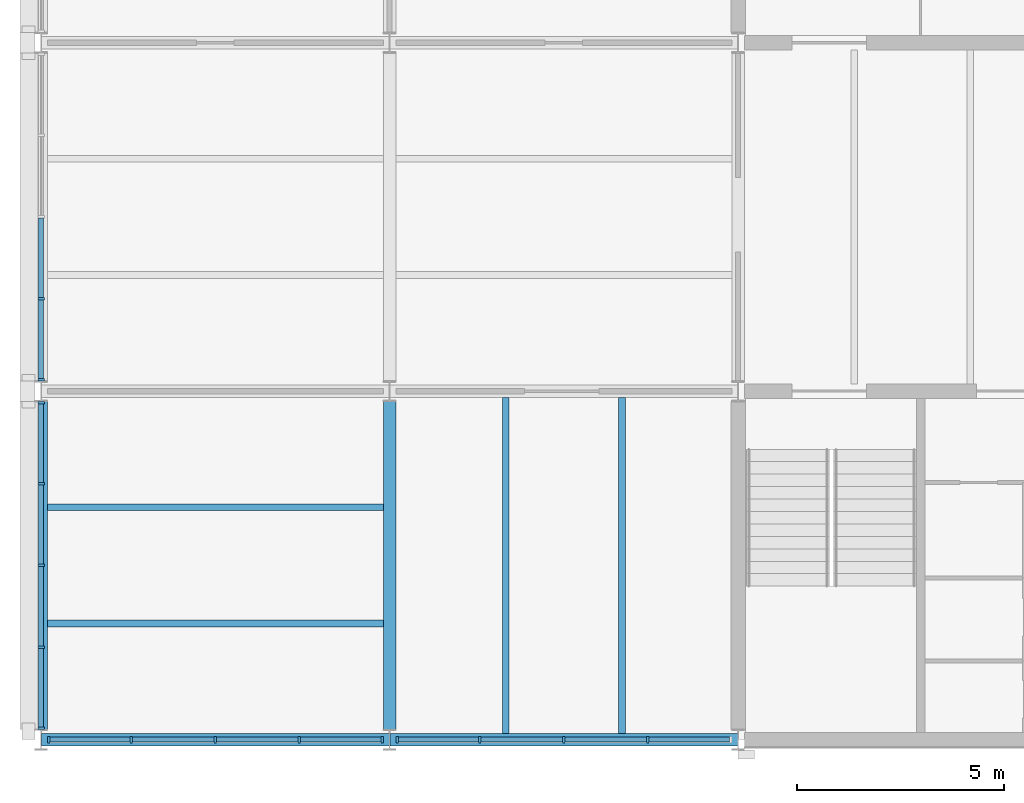
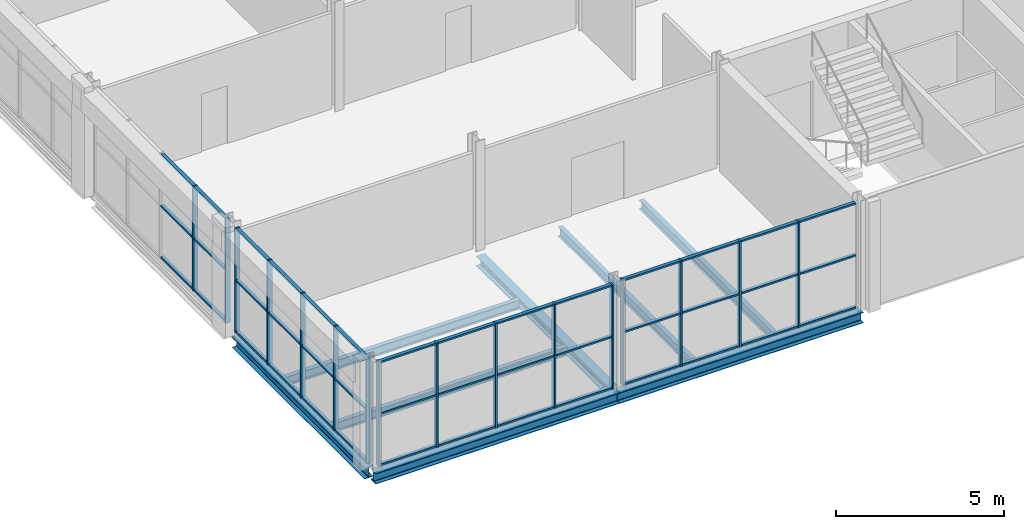
# One storey, part 2 of 12: 58 members, 8 beams, 4 elements without a shape of their own.
"""IFC4 building model written with IfcOpenShell, lengths in metres."""

from ifc_helpers import new_model, si_unit, direction, frame, origin, origin_2d, place, context, subcontext, project, spatial, rectangle, i_section, extrude, material, layer, layer_set, material_profile, profile_set, type_object, element, aggregate, save


model = new_model("IFC4")

# Units and contexts
model_context = context("Model", 3, precision=1e-05, world=origin(), true_north=direction((0.0, 1.0)))
body_context = subcontext(model_context, "Body", "Model", "MODEL_VIEW")
ifc_project = project(units=[si_unit("LENGTHUNIT", "METRE"), si_unit("AREAUNIT", "SQUARE_METRE"), si_unit("VOLUMEUNIT", "CUBIC_METRE"), si_unit("PLANEANGLEUNIT", "RADIAN"), si_unit("MASSUNIT", "GRAM", prefix="KILO")], contexts=[model_context])

# Site, building, storey
site_placement = place(None, origin())
site = spatial("IfcSite", under=ifc_project, at=site_placement, CompositionType="ELEMENT")
building_placement = place(site_placement, origin())
building = spatial("IfcBuilding", under=site, at=building_placement, Name="Galleria Vessillo Department Store", CompositionType="ELEMENT")
storey_placement = place(building_placement, frame((0.0, 0.0, 43.60009765625)))
storey = spatial("IfcBuildingStorey", under=building, at=storey_placement, Name="L09", CompositionType="ELEMENT", Elevation=43.60009765625)

# Curtain wall, members
ifc_material_1 = material(Name="Aluminium and glass curtain wall", Category="aluminium")
ifc_layer = layer(ifc_material_1, 0.159912109375)
ifc_layer_set = layer_set([ifc_layer], Name="Aluminium and glass curtain wall")
curtain_wall_type = type_object("IfcCurtainWallType", Name="Tower curtain wall CW4 2100 module", PredefinedType="NOTDEFINED", material=ifc_layer_set)
curtain_wall_1_placement = place(storey_placement, origin())
curtain_wall_1 = element("IfcCurtainWall", 1, at=curtain_wall_1_placement, inside=storey, type_object=curtain_wall_type, Name="Tower curtain wall CW4 2100 module TW-L09-01", PredefinedType="NOTDEFINED")
ifc_material_2 = material(Name="Aluminium alloy 6063 T6", Category="aluminium")
ifc_material_profile_1 = material_profile(ifc_material_2, rectangle(XDim=0.159912109375, YDim=0.06005859375, at=origin_2d()), Name="AL 60x160")
ifc_profile_set_1 = profile_set([ifc_material_profile_1], Name="Aluminium alloy 6063 T6")
member_type_1 = type_object("IfcMemberType", Name="Aluminium mullion 60 x 160", PredefinedType="MULLION", material=ifc_profile_set_1)
member_1_placement = place(storey_placement, frame((84.0, 38.080078125, 0.0), z_axis=(0.0, 0.0, 1.0), x_axis=(-1.0, 0.0, 0.0)))
member_1 = element("IfcMember", 2, at=member_1_placement, type_object=member_type_1, Name="CW4 mullion 1", PredefinedType="MULLION", context=body_context, shape_type="SweptSolid", body=[
    extrude(rectangle(XDim=0.159912109375, YDim=0.06005859375, at=origin_2d()), origin(), (0.0, 0.0, 1.0), 3.800048828125),
])
member_2_placement = place(storey_placement, frame((84.0, 40.02490234375, 0.0), z_axis=(0.0, 0.0, 1.0), x_axis=(-1.0, 0.0, 0.0)))
member_2 = element("IfcMember", 3, at=member_2_placement, type_object=member_type_1, Name="CW4 mullion 2", PredefinedType="MULLION", context=body_context, shape_type="SweptSolid", body=[
    extrude(rectangle(XDim=0.159912109375, YDim=0.06005859375, at=origin_2d()), origin(), (0.0, 0.0, 1.0), 3.800048828125),
])
member_3_placement = place(storey_placement, frame((84.0, 42.0, 0.0), z_axis=(0.0, 0.0, 1.0), x_axis=(-1.0, 0.0, 0.0)))
member_3 = element("IfcMember", 4, at=member_3_placement, type_object=member_type_1, Name="CW4 mullion 3", PredefinedType="MULLION", context=body_context, shape_type="SweptSolid", body=[
    extrude(rectangle(XDim=0.159912109375, YDim=0.06005859375, at=origin_2d()), origin(), (0.0, 0.0, 1.0), 3.800048828125),
])
member_4_placement = place(storey_placement, frame((84.0, 43.97509765625, 0.0), z_axis=(0.0, 0.0, 1.0), x_axis=(-1.0, 0.0, 0.0)))
member_4 = element("IfcMember", 5, at=member_4_placement, type_object=member_type_1, Name="CW4 mullion 4", PredefinedType="MULLION", context=body_context, shape_type="SweptSolid", body=[
    extrude(rectangle(XDim=0.159912109375, YDim=0.06005859375, at=origin_2d()), origin(), (0.0, 0.0, 1.0), 3.800048828125),
])
member_5_placement = place(storey_placement, frame((84.0, 45.919921875, 0.0), z_axis=(0.0, 0.0, 1.0), x_axis=(-1.0, 0.0, 0.0)))
member_5 = element("IfcMember", 6, at=member_5_placement, type_object=member_type_1, Name="CW4 mullion 5", PredefinedType="MULLION", context=body_context, shape_type="SweptSolid", body=[
    extrude(rectangle(XDim=0.159912109375, YDim=0.06005859375, at=origin_2d()), origin(), (0.0, 0.0, 1.0), 3.800048828125),
])

curtain_wall_2_placement = place(storey_placement, origin())
curtain_wall_2 = element("IfcCurtainWall", 7, at=curtain_wall_2_placement, inside=storey, type_object=curtain_wall_type, Name="Tower curtain wall CW4 2100 module TW-L09-02", PredefinedType="NOTDEFINED")
member_6_placement = place(storey_placement, frame((84.0, 46.47998046875, 0.0), z_axis=(0.0, 0.0, 1.0), x_axis=(-1.0, 0.0, 0.0)))
member_6 = element("IfcMember", 8, at=member_6_placement, type_object=member_type_1, Name="CW4 mullion 1", PredefinedType="MULLION", context=body_context, shape_type="SweptSolid", body=[
    extrude(rectangle(XDim=0.159912109375, YDim=0.06005859375, at=origin_2d()), origin(), (0.0, 0.0, 1.0), 3.800048828125),
])
member_7_placement = place(storey_placement, frame((84.0, 48.425048828125, 0.0), z_axis=(0.0, 0.0, 1.0), x_axis=(-1.0, 0.0, 0.0)))
member_7 = element("IfcMember", 9, at=member_7_placement, type_object=member_type_1, Name="CW4 mullion 2", PredefinedType="MULLION", context=body_context, shape_type="SweptSolid", body=[
    extrude(rectangle(XDim=0.159912109375, YDim=0.06005859375, at=origin_2d()), origin(), (0.0, 0.0, 1.0), 3.800048828125),
])

curtain_wall_3_placement = place(storey_placement, origin())
curtain_wall_3 = element("IfcCurtainWall", 10, at=curtain_wall_3_placement, inside=storey, type_object=curtain_wall_type, Name="Tower curtain wall CW4 2100 module TS-L09-01", PredefinedType="NOTDEFINED")
member_8_placement = place(storey_placement, frame((84.179931640625, 37.800048828125, 0.0), z_axis=(0.0, 0.0, 1.0), x_axis=(0.0, 1.0, 0.0)))
member_8 = element("IfcMember", 11, at=member_8_placement, type_object=member_type_1, Name="CW4 mullion 1", PredefinedType="MULLION", context=body_context, shape_type="SweptSolid", body=[
    extrude(rectangle(XDim=0.159912109375, YDim=0.06005859375, at=origin_2d()), origin(), (0.0, 0.0, 1.0), 3.800048828125),
])
member_9_placement = place(storey_placement, frame((86.175048828125, 37.800048828125, 0.0), z_axis=(0.0, 0.0, 1.0), x_axis=(0.0, 1.0, 0.0)))
member_9 = element("IfcMember", 12, at=member_9_placement, type_object=member_type_1, Name="CW4 mullion 2", PredefinedType="MULLION", context=body_context, shape_type="SweptSolid", body=[
    extrude(rectangle(XDim=0.159912109375, YDim=0.06005859375, at=origin_2d()), origin(), (0.0, 0.0, 1.0), 3.800048828125),
])
member_10_placement = place(storey_placement, frame((88.199951171875, 37.800048828125, 0.0), z_axis=(0.0, 0.0, 1.0), x_axis=(0.0, 1.0, 0.0)))
member_10 = element("IfcMember", 13, at=member_10_placement, type_object=member_type_1, Name="CW4 mullion 3", PredefinedType="MULLION", context=body_context, shape_type="SweptSolid", body=[
    extrude(rectangle(XDim=0.159912109375, YDim=0.06005859375, at=origin_2d()), origin(), (0.0, 0.0, 1.0), 3.800048828125),
])
member_11_placement = place(storey_placement, frame((90.22509765625, 37.800048828125, 0.0), z_axis=(0.0, 0.0, 1.0), x_axis=(0.0, 1.0, 0.0)))
member_11 = element("IfcMember", 14, at=member_11_placement, type_object=member_type_1, Name="CW4 mullion 4", PredefinedType="MULLION", context=body_context, shape_type="SweptSolid", body=[
    extrude(rectangle(XDim=0.159912109375, YDim=0.06005859375, at=origin_2d()), origin(), (0.0, 0.0, 1.0), 3.800048828125),
])
member_12_placement = place(storey_placement, frame((92.219970703125, 37.800048828125, 0.0), z_axis=(0.0, 0.0, 1.0), x_axis=(0.0, 1.0, 0.0)))
member_12 = element("IfcMember", 15, at=member_12_placement, type_object=member_type_1, Name="CW4 mullion 5", PredefinedType="MULLION", context=body_context, shape_type="SweptSolid", body=[
    extrude(rectangle(XDim=0.159912109375, YDim=0.06005859375, at=origin_2d()), origin(), (0.0, 0.0, 1.0), 3.800048828125),
])

curtain_wall_4_placement = place(storey_placement, origin())
curtain_wall_4 = element("IfcCurtainWall", 16, at=curtain_wall_4_placement, inside=storey, type_object=curtain_wall_type, Name="Tower curtain wall CW4 2100 module TS-L09-02", PredefinedType="NOTDEFINED")
member_13_placement = place(storey_placement, frame((92.579833984375, 37.800048828125, 0.0), z_axis=(0.0, 0.0, 1.0), x_axis=(0.0, 1.0, 0.0)))
member_13 = element("IfcMember", 17, at=member_13_placement, type_object=member_type_1, Name="CW4 mullion 1", PredefinedType="MULLION", context=body_context, shape_type="SweptSolid", body=[
    extrude(rectangle(XDim=0.159912109375, YDim=0.06005859375, at=origin_2d()), origin(), (0.0, 0.0, 1.0), 3.85009765625),
])
member_14_placement = place(storey_placement, frame((94.574951171875, 37.800048828125, 0.0), z_axis=(0.0, 0.0, 1.0), x_axis=(0.0, 1.0, 0.0)))
member_14 = element("IfcMember", 18, at=member_14_placement, type_object=member_type_1, Name="CW4 mullion 2", PredefinedType="MULLION", context=body_context, shape_type="SweptSolid", body=[
    extrude(rectangle(XDim=0.159912109375, YDim=0.06005859375, at=origin_2d()), origin(), (0.0, 0.0, 1.0), 3.85009765625),
])
member_15_placement = place(storey_placement, frame((96.60009765625, 37.800048828125, 0.0), z_axis=(0.0, 0.0, 1.0), x_axis=(0.0, 1.0, 0.0)))
member_15 = element("IfcMember", 19, at=member_15_placement, type_object=member_type_1, Name="CW4 mullion 3", PredefinedType="MULLION", context=body_context, shape_type="SweptSolid", body=[
    extrude(rectangle(XDim=0.159912109375, YDim=0.06005859375, at=origin_2d()), origin(), (0.0, 0.0, 1.0), 3.85009765625),
])
member_16_placement = place(storey_placement, frame((98.625, 37.800048828125, 0.0), z_axis=(0.0, 0.0, 1.0), x_axis=(0.0, 1.0, 0.0)))
member_16 = element("IfcMember", 20, at=member_16_placement, type_object=member_type_1, Name="CW4 mullion 4", PredefinedType="MULLION", context=body_context, shape_type="SweptSolid", body=[
    extrude(rectangle(XDim=0.159912109375, YDim=0.06005859375, at=origin_2d()), origin(), (0.0, 0.0, 1.0), 3.85009765625),
])

# Member
ifc_material_3 = material(Name="Aluminium alloy 6063 T6", Category="aluminium")
ifc_material_profile_2 = material_profile(ifc_material_3, rectangle(XDim=0.1201171875, YDim=0.06005859375, at=origin_2d()), Name="AL 60x120")
ifc_profile_set_2 = profile_set([ifc_material_profile_2], Name="Aluminium alloy 6063 T6")
member_type_2 = type_object("IfcMemberType", Name="Aluminium transom 60 x 120", PredefinedType="USERDEFINED", material=ifc_profile_set_2)
member_17_placement = place(storey_placement, frame((84.0, 38.110107421875, 0.030029296875), z_axis=(0.0, 1.0, 0.0), x_axis=(-1.0, 0.0, 0.0)))
member_17 = element("IfcMember", 21, at=member_17_placement, type_object=member_type_2, Name="CW4 transom 1.1", ObjectType="TRANSOM", PredefinedType="USERDEFINED", context=body_context, shape_type="SweptSolid", body=[
    extrude(rectangle(XDim=0.1201171875, YDim=0.06005859375, at=origin_2d()), origin(), (0.0, 0.0, 1.0), 1.885009765625),
])

member_18_placement = place(storey_placement, frame((84.0, 38.110107421875, 1.89990234375), z_axis=(0.0, 1.0, 0.0), x_axis=(-1.0, 0.0, 0.0)))
member_18 = element("IfcMember", 22, at=member_18_placement, type_object=member_type_2, Name="CW4 transom 1.2", ObjectType="TRANSOM", PredefinedType="USERDEFINED", context=body_context, shape_type="SweptSolid", body=[
    extrude(rectangle(XDim=0.1201171875, YDim=0.06005859375, at=origin_2d()), origin(), (0.0, 0.0, 1.0), 1.885009765625),
])

member_19_placement = place(storey_placement, frame((84.0, 38.110107421875, 3.77001953125), z_axis=(0.0, 1.0, 0.0), x_axis=(-1.0, 0.0, 0.0)))
member_19 = element("IfcMember", 23, at=member_19_placement, type_object=member_type_2, Name="CW4 transom 1.3", ObjectType="TRANSOM", PredefinedType="USERDEFINED", context=body_context, shape_type="SweptSolid", body=[
    extrude(rectangle(XDim=0.1201171875, YDim=0.06005859375, at=origin_2d()), origin(), (0.0, 0.0, 1.0), 1.885009765625),
])

member_20_placement = place(storey_placement, frame((84.0, 40.054931640625, 0.030029296875), z_axis=(0.0, 1.0, 0.0), x_axis=(-1.0, 0.0, 0.0)))
member_20 = element("IfcMember", 24, at=member_20_placement, type_object=member_type_2, Name="CW4 transom 2.1", ObjectType="TRANSOM", PredefinedType="USERDEFINED", context=body_context, shape_type="SweptSolid", body=[
    extrude(rectangle(XDim=0.1201171875, YDim=0.06005859375, at=origin_2d()), origin(), (0.0, 0.0, 1.0), 1.9150390625),
])

member_21_placement = place(storey_placement, frame((84.0, 40.054931640625, 1.89990234375), z_axis=(0.0, 1.0, 0.0), x_axis=(-1.0, 0.0, 0.0)))
member_21 = element("IfcMember", 25, at=member_21_placement, type_object=member_type_2, Name="CW4 transom 2.2", ObjectType="TRANSOM", PredefinedType="USERDEFINED", context=body_context, shape_type="SweptSolid", body=[
    extrude(rectangle(XDim=0.1201171875, YDim=0.06005859375, at=origin_2d()), origin(), (0.0, 0.0, 1.0), 1.9150390625),
])

member_22_placement = place(storey_placement, frame((84.0, 40.054931640625, 3.77001953125), z_axis=(0.0, 1.0, 0.0), x_axis=(-1.0, 0.0, 0.0)))
member_22 = element("IfcMember", 26, at=member_22_placement, type_object=member_type_2, Name="CW4 transom 2.3", ObjectType="TRANSOM", PredefinedType="USERDEFINED", context=body_context, shape_type="SweptSolid", body=[
    extrude(rectangle(XDim=0.1201171875, YDim=0.06005859375, at=origin_2d()), origin(), (0.0, 0.0, 1.0), 1.9150390625),
])

member_23_placement = place(storey_placement, frame((84.0, 42.030029296875, 0.030029296875), z_axis=(0.0, 1.0, 0.0), x_axis=(-1.0, 0.0, 0.0)))
member_23 = element("IfcMember", 27, at=member_23_placement, type_object=member_type_2, Name="CW4 transom 3.1", ObjectType="TRANSOM", PredefinedType="USERDEFINED", context=body_context, shape_type="SweptSolid", body=[
    extrude(rectangle(XDim=0.1201171875, YDim=0.06005859375, at=origin_2d()), origin(), (0.0, 0.0, 1.0), 1.9150390625),
])

member_24_placement = place(storey_placement, frame((84.0, 42.030029296875, 1.89990234375), z_axis=(0.0, 1.0, 0.0), x_axis=(-1.0, 0.0, 0.0)))
member_24 = element("IfcMember", 28, at=member_24_placement, type_object=member_type_2, Name="CW4 transom 3.2", ObjectType="TRANSOM", PredefinedType="USERDEFINED", context=body_context, shape_type="SweptSolid", body=[
    extrude(rectangle(XDim=0.1201171875, YDim=0.06005859375, at=origin_2d()), origin(), (0.0, 0.0, 1.0), 1.9150390625),
])

member_25_placement = place(storey_placement, frame((84.0, 42.030029296875, 3.77001953125), z_axis=(0.0, 1.0, 0.0), x_axis=(-1.0, 0.0, 0.0)))
member_25 = element("IfcMember", 29, at=member_25_placement, type_object=member_type_2, Name="CW4 transom 3.3", ObjectType="TRANSOM", PredefinedType="USERDEFINED", context=body_context, shape_type="SweptSolid", body=[
    extrude(rectangle(XDim=0.1201171875, YDim=0.06005859375, at=origin_2d()), origin(), (0.0, 0.0, 1.0), 1.9150390625),
])

member_26_placement = place(storey_placement, frame((84.0, 44.0048828125, 0.030029296875), z_axis=(0.0, 1.0, 0.0), x_axis=(-1.0, 0.0, 0.0)))
member_26 = element("IfcMember", 30, at=member_26_placement, type_object=member_type_2, Name="CW4 transom 4.1", ObjectType="TRANSOM", PredefinedType="USERDEFINED", context=body_context, shape_type="SweptSolid", body=[
    extrude(rectangle(XDim=0.1201171875, YDim=0.06005859375, at=origin_2d()), origin(), (0.0, 0.0, 1.0), 1.885009765625),
])

member_27_placement = place(storey_placement, frame((84.0, 44.0048828125, 1.89990234375), z_axis=(0.0, 1.0, 0.0), x_axis=(-1.0, 0.0, 0.0)))
member_27 = element("IfcMember", 31, at=member_27_placement, type_object=member_type_2, Name="CW4 transom 4.2", ObjectType="TRANSOM", PredefinedType="USERDEFINED", context=body_context, shape_type="SweptSolid", body=[
    extrude(rectangle(XDim=0.1201171875, YDim=0.06005859375, at=origin_2d()), origin(), (0.0, 0.0, 1.0), 1.885009765625),
])

member_28_placement = place(storey_placement, frame((84.0, 44.0048828125, 3.77001953125), z_axis=(0.0, 1.0, 0.0), x_axis=(-1.0, 0.0, 0.0)))
member_28 = element("IfcMember", 32, at=member_28_placement, type_object=member_type_2, Name="CW4 transom 4.3", ObjectType="TRANSOM", PredefinedType="USERDEFINED", context=body_context, shape_type="SweptSolid", body=[
    extrude(rectangle(XDim=0.1201171875, YDim=0.06005859375, at=origin_2d()), origin(), (0.0, 0.0, 1.0), 1.885009765625),
])

aggregate(curtain_wall_1, [member_1, member_2, member_3, member_4, member_5, member_17, member_18, member_19, member_20, member_21, member_22, member_23, member_24, member_25, member_26, member_27, member_28])

member_29_placement = place(storey_placement, frame((84.0, 46.510009765625, 0.030029296875), z_axis=(0.0, 1.0, 0.0), x_axis=(-1.0, 0.0, 0.0)))
member_29 = element("IfcMember", 33, at=member_29_placement, type_object=member_type_2, Name="CW4 transom 1.1", ObjectType="TRANSOM", PredefinedType="USERDEFINED", context=body_context, shape_type="SweptSolid", body=[
    extrude(rectangle(XDim=0.1201171875, YDim=0.06005859375, at=origin_2d()), origin(), (0.0, 0.0, 1.0), 1.885009765625),
])

member_30_placement = place(storey_placement, frame((84.0, 46.510009765625, 1.89990234375), z_axis=(0.0, 1.0, 0.0), x_axis=(-1.0, 0.0, 0.0)))
member_30 = element("IfcMember", 34, at=member_30_placement, type_object=member_type_2, Name="CW4 transom 1.2", ObjectType="TRANSOM", PredefinedType="USERDEFINED", context=body_context, shape_type="SweptSolid", body=[
    extrude(rectangle(XDim=0.1201171875, YDim=0.06005859375, at=origin_2d()), origin(), (0.0, 0.0, 1.0), 1.885009765625),
])

member_31_placement = place(storey_placement, frame((84.0, 46.510009765625, 3.77001953125), z_axis=(0.0, 1.0, 0.0), x_axis=(-1.0, 0.0, 0.0)))
member_31 = element("IfcMember", 35, at=member_31_placement, type_object=member_type_2, Name="CW4 transom 1.3", ObjectType="TRANSOM", PredefinedType="USERDEFINED", context=body_context, shape_type="SweptSolid", body=[
    extrude(rectangle(XDim=0.1201171875, YDim=0.06005859375, at=origin_2d()), origin(), (0.0, 0.0, 1.0), 1.885009765625),
])

member_32_placement = place(storey_placement, frame((84.0, 48.455078125, 0.030029296875), z_axis=(0.0, 1.0, 0.0), x_axis=(-1.0, 0.0, 0.0)))
member_32 = element("IfcMember", 36, at=member_32_placement, type_object=member_type_2, Name="CW4 transom 2.1", ObjectType="TRANSOM", PredefinedType="USERDEFINED", context=body_context, shape_type="SweptSolid", body=[
    extrude(rectangle(XDim=0.1201171875, YDim=0.06005859375, at=origin_2d()), origin(), (0.0, 0.0, 1.0), 1.9150390625),
])

member_33_placement = place(storey_placement, frame((84.0, 48.455078125, 1.89990234375), z_axis=(0.0, 1.0, 0.0), x_axis=(-1.0, 0.0, 0.0)))
member_33 = element("IfcMember", 37, at=member_33_placement, type_object=member_type_2, Name="CW4 transom 2.2", ObjectType="TRANSOM", PredefinedType="USERDEFINED", context=body_context, shape_type="SweptSolid", body=[
    extrude(rectangle(XDim=0.1201171875, YDim=0.06005859375, at=origin_2d()), origin(), (0.0, 0.0, 1.0), 1.9150390625),
])

member_34_placement = place(storey_placement, frame((84.0, 48.455078125, 3.77001953125), z_axis=(0.0, 1.0, 0.0), x_axis=(-1.0, 0.0, 0.0)))
member_34 = element("IfcMember", 38, at=member_34_placement, type_object=member_type_2, Name="CW4 transom 2.3", ObjectType="TRANSOM", PredefinedType="USERDEFINED", context=body_context, shape_type="SweptSolid", body=[
    extrude(rectangle(XDim=0.1201171875, YDim=0.06005859375, at=origin_2d()), origin(), (0.0, 0.0, 1.0), 1.9150390625),
])

aggregate(curtain_wall_2, [member_6, member_7, member_29, member_30, member_31, member_32, member_33, member_34])

member_35_placement = place(storey_placement, frame((84.2099609375, 37.800048828125, 0.030029296875), z_axis=(1.0, 0.0, 0.0), x_axis=(0.0, 1.0, 0.0)))
member_35 = element("IfcMember", 39, at=member_35_placement, type_object=member_type_2, Name="CW4 transom 1.1", ObjectType="TRANSOM", PredefinedType="USERDEFINED", context=body_context, shape_type="SweptSolid", body=[
    extrude(rectangle(XDim=0.1201171875, YDim=0.06005859375, at=origin_2d()), origin(), (0.0, 0.0, 1.0), 1.93505859375),
])

member_36_placement = place(storey_placement, frame((84.2099609375, 37.800048828125, 1.89990234375), z_axis=(1.0, 0.0, 0.0), x_axis=(0.0, 1.0, 0.0)))
member_36 = element("IfcMember", 40, at=member_36_placement, type_object=member_type_2, Name="CW4 transom 1.2", ObjectType="TRANSOM", PredefinedType="USERDEFINED", context=body_context, shape_type="SweptSolid", body=[
    extrude(rectangle(XDim=0.1201171875, YDim=0.06005859375, at=origin_2d()), origin(), (0.0, 0.0, 1.0), 1.93505859375),
])

member_37_placement = place(storey_placement, frame((84.2099609375, 37.800048828125, 3.77001953125), z_axis=(1.0, 0.0, 0.0), x_axis=(0.0, 1.0, 0.0)))
member_37 = element("IfcMember", 41, at=member_37_placement, type_object=member_type_2, Name="CW4 transom 1.3", ObjectType="TRANSOM", PredefinedType="USERDEFINED", context=body_context, shape_type="SweptSolid", body=[
    extrude(rectangle(XDim=0.1201171875, YDim=0.06005859375, at=origin_2d()), origin(), (0.0, 0.0, 1.0), 1.93505859375),
])

member_38_placement = place(storey_placement, frame((86.204833984375, 37.800048828125, 0.030029296875), z_axis=(1.0, 0.0, 0.0), x_axis=(0.0, 1.0, 0.0)))
member_38 = element("IfcMember", 42, at=member_38_placement, type_object=member_type_2, Name="CW4 transom 2.1", ObjectType="TRANSOM", PredefinedType="USERDEFINED", context=body_context, shape_type="SweptSolid", body=[
    extrude(rectangle(XDim=0.1201171875, YDim=0.06005859375, at=origin_2d()), origin(), (0.0, 0.0, 1.0), 1.965087890625),
])

member_39_placement = place(storey_placement, frame((86.204833984375, 37.800048828125, 1.89990234375), z_axis=(1.0, 0.0, 0.0), x_axis=(0.0, 1.0, 0.0)))
member_39 = element("IfcMember", 43, at=member_39_placement, type_object=member_type_2, Name="CW4 transom 2.2", ObjectType="TRANSOM", PredefinedType="USERDEFINED", context=body_context, shape_type="SweptSolid", body=[
    extrude(rectangle(XDim=0.1201171875, YDim=0.06005859375, at=origin_2d()), origin(), (0.0, 0.0, 1.0), 1.965087890625),
])

member_40_placement = place(storey_placement, frame((86.204833984375, 37.800048828125, 3.77001953125), z_axis=(1.0, 0.0, 0.0), x_axis=(0.0, 1.0, 0.0)))
member_40 = element("IfcMember", 44, at=member_40_placement, type_object=member_type_2, Name="CW4 transom 2.3", ObjectType="TRANSOM", PredefinedType="USERDEFINED", context=body_context, shape_type="SweptSolid", body=[
    extrude(rectangle(XDim=0.1201171875, YDim=0.06005859375, at=origin_2d()), origin(), (0.0, 0.0, 1.0), 1.965087890625),
])

member_41_placement = place(storey_placement, frame((88.22998046875, 37.800048828125, 0.030029296875), z_axis=(1.0, 0.0, 0.0), x_axis=(0.0, 1.0, 0.0)))
member_41 = element("IfcMember", 45, at=member_41_placement, type_object=member_type_2, Name="CW4 transom 3.1", ObjectType="TRANSOM", PredefinedType="USERDEFINED", context=body_context, shape_type="SweptSolid", body=[
    extrude(rectangle(XDim=0.1201171875, YDim=0.06005859375, at=origin_2d()), origin(), (0.0, 0.0, 1.0), 1.965087890625),
])

member_42_placement = place(storey_placement, frame((88.22998046875, 37.800048828125, 1.89990234375), z_axis=(1.0, 0.0, 0.0), x_axis=(0.0, 1.0, 0.0)))
member_42 = element("IfcMember", 46, at=member_42_placement, type_object=member_type_2, Name="CW4 transom 3.2", ObjectType="TRANSOM", PredefinedType="USERDEFINED", context=body_context, shape_type="SweptSolid", body=[
    extrude(rectangle(XDim=0.1201171875, YDim=0.06005859375, at=origin_2d()), origin(), (0.0, 0.0, 1.0), 1.965087890625),
])

member_43_placement = place(storey_placement, frame((88.22998046875, 37.800048828125, 3.77001953125), z_axis=(1.0, 0.0, 0.0), x_axis=(0.0, 1.0, 0.0)))
member_43 = element("IfcMember", 47, at=member_43_placement, type_object=member_type_2, Name="CW4 transom 3.3", ObjectType="TRANSOM", PredefinedType="USERDEFINED", context=body_context, shape_type="SweptSolid", body=[
    extrude(rectangle(XDim=0.1201171875, YDim=0.06005859375, at=origin_2d()), origin(), (0.0, 0.0, 1.0), 1.965087890625),
])

member_44_placement = place(storey_placement, frame((90.2548828125, 37.800048828125, 0.030029296875), z_axis=(1.0, 0.0, 0.0), x_axis=(0.0, 1.0, 0.0)))
member_44 = element("IfcMember", 48, at=member_44_placement, type_object=member_type_2, Name="CW4 transom 4.1", ObjectType="TRANSOM", PredefinedType="USERDEFINED", context=body_context, shape_type="SweptSolid", body=[
    extrude(rectangle(XDim=0.1201171875, YDim=0.06005859375, at=origin_2d()), origin(), (0.0, 0.0, 1.0), 1.93505859375),
])

member_45_placement = place(storey_placement, frame((90.2548828125, 37.800048828125, 1.89990234375), z_axis=(1.0, 0.0, 0.0), x_axis=(0.0, 1.0, 0.0)))
member_45 = element("IfcMember", 49, at=member_45_placement, type_object=member_type_2, Name="CW4 transom 4.2", ObjectType="TRANSOM", PredefinedType="USERDEFINED", context=body_context, shape_type="SweptSolid", body=[
    extrude(rectangle(XDim=0.1201171875, YDim=0.06005859375, at=origin_2d()), origin(), (0.0, 0.0, 1.0), 1.93505859375),
])

member_46_placement = place(storey_placement, frame((90.2548828125, 37.800048828125, 3.77001953125), z_axis=(1.0, 0.0, 0.0), x_axis=(0.0, 1.0, 0.0)))
member_46 = element("IfcMember", 50, at=member_46_placement, type_object=member_type_2, Name="CW4 transom 4.3", ObjectType="TRANSOM", PredefinedType="USERDEFINED", context=body_context, shape_type="SweptSolid", body=[
    extrude(rectangle(XDim=0.1201171875, YDim=0.06005859375, at=origin_2d()), origin(), (0.0, 0.0, 1.0), 1.93505859375),
])

aggregate(curtain_wall_3, [member_8, member_9, member_10, member_11, member_12, member_35, member_36, member_37, member_38, member_39, member_40, member_41, member_42, member_43, member_44, member_45, member_46])

member_47_placement = place(storey_placement, frame((92.60986328125, 37.800048828125, 0.030029296875), z_axis=(1.0, 0.0, 0.0), x_axis=(0.0, 1.0, 0.0)))
member_47 = element("IfcMember", 51, at=member_47_placement, type_object=member_type_2, Name="CW4 transom 1.1", ObjectType="TRANSOM", PredefinedType="USERDEFINED", context=body_context, shape_type="SweptSolid", body=[
    extrude(rectangle(XDim=0.1201171875, YDim=0.06005859375, at=origin_2d()), origin(), (0.0, 0.0, 1.0), 1.93505859375),
])

member_48_placement = place(storey_placement, frame((92.60986328125, 37.800048828125, 1.925048828125), z_axis=(1.0, 0.0, 0.0), x_axis=(0.0, 1.0, 0.0)))
member_48 = element("IfcMember", 52, at=member_48_placement, type_object=member_type_2, Name="CW4 transom 1.2", ObjectType="TRANSOM", PredefinedType="USERDEFINED", context=body_context, shape_type="SweptSolid", body=[
    extrude(rectangle(XDim=0.1201171875, YDim=0.06005859375, at=origin_2d()), origin(), (0.0, 0.0, 1.0), 1.93505859375),
])

member_49_placement = place(storey_placement, frame((92.60986328125, 37.800048828125, 3.820068359375), z_axis=(1.0, 0.0, 0.0), x_axis=(0.0, 1.0, 0.0)))
member_49 = element("IfcMember", 53, at=member_49_placement, type_object=member_type_2, Name="CW4 transom 1.3", ObjectType="TRANSOM", PredefinedType="USERDEFINED", context=body_context, shape_type="SweptSolid", body=[
    extrude(rectangle(XDim=0.1201171875, YDim=0.06005859375, at=origin_2d()), origin(), (0.0, 0.0, 1.0), 1.93505859375),
])

member_50_placement = place(storey_placement, frame((94.60498046875, 37.800048828125, 0.030029296875), z_axis=(1.0, 0.0, 0.0), x_axis=(0.0, 1.0, 0.0)))
member_50 = element("IfcMember", 54, at=member_50_placement, type_object=member_type_2, Name="CW4 transom 2.1", ObjectType="TRANSOM", PredefinedType="USERDEFINED", context=body_context, shape_type="SweptSolid", body=[
    extrude(rectangle(XDim=0.1201171875, YDim=0.06005859375, at=origin_2d()), origin(), (0.0, 0.0, 1.0), 1.965087890625),
])

member_51_placement = place(storey_placement, frame((94.60498046875, 37.800048828125, 1.925048828125), z_axis=(1.0, 0.0, 0.0), x_axis=(0.0, 1.0, 0.0)))
member_51 = element("IfcMember", 55, at=member_51_placement, type_object=member_type_2, Name="CW4 transom 2.2", ObjectType="TRANSOM", PredefinedType="USERDEFINED", context=body_context, shape_type="SweptSolid", body=[
    extrude(rectangle(XDim=0.1201171875, YDim=0.06005859375, at=origin_2d()), origin(), (0.0, 0.0, 1.0), 1.965087890625),
])

member_52_placement = place(storey_placement, frame((94.60498046875, 37.800048828125, 3.820068359375), z_axis=(1.0, 0.0, 0.0), x_axis=(0.0, 1.0, 0.0)))
member_52 = element("IfcMember", 56, at=member_52_placement, type_object=member_type_2, Name="CW4 transom 2.3", ObjectType="TRANSOM", PredefinedType="USERDEFINED", context=body_context, shape_type="SweptSolid", body=[
    extrude(rectangle(XDim=0.1201171875, YDim=0.06005859375, at=origin_2d()), origin(), (0.0, 0.0, 1.0), 1.965087890625),
])

member_53_placement = place(storey_placement, frame((96.6298828125, 37.800048828125, 0.030029296875), z_axis=(1.0, 0.0, 0.0), x_axis=(0.0, 1.0, 0.0)))
member_53 = element("IfcMember", 57, at=member_53_placement, type_object=member_type_2, Name="CW4 transom 3.1", ObjectType="TRANSOM", PredefinedType="USERDEFINED", context=body_context, shape_type="SweptSolid", body=[
    extrude(rectangle(XDim=0.1201171875, YDim=0.06005859375, at=origin_2d()), origin(), (0.0, 0.0, 1.0), 1.965087890625),
])

member_54_placement = place(storey_placement, frame((96.6298828125, 37.800048828125, 1.925048828125), z_axis=(1.0, 0.0, 0.0), x_axis=(0.0, 1.0, 0.0)))
member_54 = element("IfcMember", 58, at=member_54_placement, type_object=member_type_2, Name="CW4 transom 3.2", ObjectType="TRANSOM", PredefinedType="USERDEFINED", context=body_context, shape_type="SweptSolid", body=[
    extrude(rectangle(XDim=0.1201171875, YDim=0.06005859375, at=origin_2d()), origin(), (0.0, 0.0, 1.0), 1.965087890625),
])

member_55_placement = place(storey_placement, frame((96.6298828125, 37.800048828125, 3.820068359375), z_axis=(1.0, 0.0, 0.0), x_axis=(0.0, 1.0, 0.0)))
member_55 = element("IfcMember", 59, at=member_55_placement, type_object=member_type_2, Name="CW4 transom 3.3", ObjectType="TRANSOM", PredefinedType="USERDEFINED", context=body_context, shape_type="SweptSolid", body=[
    extrude(rectangle(XDim=0.1201171875, YDim=0.06005859375, at=origin_2d()), origin(), (0.0, 0.0, 1.0), 1.965087890625),
])

member_56_placement = place(storey_placement, frame((98.655029296875, 37.800048828125, 0.030029296875), z_axis=(1.0, 0.0, 0.0), x_axis=(0.0, 1.0, 0.0)))
member_56 = element("IfcMember", 60, at=member_56_placement, type_object=member_type_2, Name="CW4 transom 4.1", ObjectType="TRANSOM", PredefinedType="USERDEFINED", context=body_context, shape_type="SweptSolid", body=[
    extrude(rectangle(XDim=0.1201171875, YDim=0.06005859375, at=origin_2d()), origin(), (0.0, 0.0, 1.0), 1.93505859375),
])

member_57_placement = place(storey_placement, frame((98.655029296875, 37.800048828125, 1.925048828125), z_axis=(1.0, 0.0, 0.0), x_axis=(0.0, 1.0, 0.0)))
member_57 = element("IfcMember", 61, at=member_57_placement, type_object=member_type_2, Name="CW4 transom 4.2", ObjectType="TRANSOM", PredefinedType="USERDEFINED", context=body_context, shape_type="SweptSolid", body=[
    extrude(rectangle(XDim=0.1201171875, YDim=0.06005859375, at=origin_2d()), origin(), (0.0, 0.0, 1.0), 1.93505859375),
])

member_58_placement = place(storey_placement, frame((98.655029296875, 37.800048828125, 3.820068359375), z_axis=(1.0, 0.0, 0.0), x_axis=(0.0, 1.0, 0.0)))
member_58 = element("IfcMember", 62, at=member_58_placement, type_object=member_type_2, Name="CW4 transom 4.3", ObjectType="TRANSOM", PredefinedType="USERDEFINED", context=body_context, shape_type="SweptSolid", body=[
    extrude(rectangle(XDim=0.1201171875, YDim=0.06005859375, at=origin_2d()), origin(), (0.0, 0.0, 1.0), 1.93505859375),
])

aggregate(curtain_wall_4, [member_13, member_14, member_15, member_16, member_47, member_48, member_49, member_50, member_51, member_52, member_53, member_54, member_55, member_56, member_57, member_58])

# Beams
ifc_material_4 = material(Name="Steel S355 J2", Category="steel")
ifc_material_profile_3 = material_profile(ifc_material_4, i_section(OverallWidth=0.300048828125, OverallDepth=0.35009765625, WebThickness=0.010009765625, FlangeThickness=0.017578125, FilletRadius=0.027099609375, at=origin_2d()), Name="HEA 360")
ifc_profile_set_3 = profile_set([ifc_material_profile_3], Name="Steel S355 J2")
beam_type_1 = type_object("IfcBeamType", Name="Floor girder HEA 360", PredefinedType="BEAM", material=ifc_profile_set_3)
beam_1_placement = place(storey_placement, frame((92.39990234375, 38.050048828125, -0.324951171875), z_axis=(0.0, 1.0, 0.0), x_axis=(-1.0, 0.0, 0.0)))
element("IfcBeam", 63, at=beam_1_placement, inside=storey, type_object=beam_type_1, Name="S-BM-L09-GI-y92400-38050", PredefinedType="BEAM", context=body_context, shape_type="SweptSolid", body=[
    extrude(i_section(OverallWidth=0.300048828125, OverallDepth=0.35009765625, WebThickness=0.010009765625, FlangeThickness=0.017578125, FilletRadius=0.027099609375, at=origin_2d()), origin(), (0.0, 0.0, 1.0), 7.89990234375),
])
ifc_material_5 = material(Name="Steel S355 J2", Category="steel")
ifc_material_profile_4 = material_profile(ifc_material_5, i_section(OverallWidth=0.159912109375, OverallDepth=0.330078125, WebThickness=0.007568359375, FlangeThickness=0.011474609375, FilletRadius=0.01806640625, at=origin_2d()), Name="IPE 330")
ifc_profile_set_4 = profile_set([ifc_material_profile_4], Name="Steel S355 J2")
beam_type_2 = type_object("IfcBeamType", Name="Floor joist IPE 330", PredefinedType="JOIST", material=ifc_profile_set_4)
for number, where, z_axis, x_axis, name in (
    (64, (84.150146484375, 40.60009765625, -0.31494140625), (1.0, 0.0, 0.0), (0.0, 1.0, 0.0), "S-BM-L09-JO-x40600-84150"),
    (65, (84.150146484375, 43.39990234375, -0.31494140625), (1.0, 0.0, 0.0), (0.0, 1.0, 0.0), "S-BM-L09-JO-x43400-84150"),
    (66, (95.199951171875, 37.9501953125, -0.31494140625), (0.0, 1.0, 0.0), (-1.0, 0.0, 0.0), "S-BM-L09-JO-y95200-37950"),
    (67, (98.0, 37.9501953125, -0.31494140625), (0.0, 1.0, 0.0), (-1.0, 0.0, 0.0), "S-BM-L09-JO-y98000-37950"),
):
    element("IfcBeam", number, at=place(storey_placement, frame(where, z_axis=z_axis, x_axis=x_axis)), inside=storey, type_object=beam_type_2, Name=name, PredefinedType="JOIST", context=body_context, shape_type="SweptSolid", body=[
        extrude(i_section(OverallWidth=0.159912109375, OverallDepth=0.330078125, WebThickness=0.007568359375, FlangeThickness=0.011474609375, FilletRadius=0.01806640625, at=origin_2d()), origin(), (0.0, 0.0, 1.0), 8.099609375),
    ])
ifc_material_6 = material(Name="Steel S355 J2", Category="steel")
ifc_material_profile_5 = material_profile(ifc_material_6, i_section(OverallWidth=0.300048828125, OverallDepth=0.389892578125, WebThickness=0.010986328125, FlangeThickness=0.01904296875, FilletRadius=0.027099609375, at=origin_2d()), Name="HEA 400")
ifc_profile_set_5 = profile_set([ifc_material_profile_5], Name="Steel S355 J2")
beam_type_3 = type_object("IfcBeamType", Name="Trimmer beam HEA 400", PredefinedType="BEAM", material=ifc_profile_set_5)
for number, where, z_axis, x_axis, name in (
    (68, (84.00732421875, 37.800048828125, -0.344970703125), (1.0, 0.0, 0.0), (0.0, 1.0, 0.0), "S-BM-L09-TR-x37800-84007"),
    (69, (92.407470703125, 37.800048828125, -0.344970703125), (1.0, 0.0, 0.0), (0.0, 1.0, 0.0), "S-BM-L09-TR-x37800-92407"),
):
    element("IfcBeam", number, at=place(storey_placement, frame(where, z_axis=z_axis, x_axis=x_axis)), inside=storey, type_object=beam_type_3, Name=name, PredefinedType="BEAM", context=body_context, shape_type="SweptSolid", body=[
        extrude(i_section(OverallWidth=0.300048828125, OverallDepth=0.389892578125, WebThickness=0.010986328125, FlangeThickness=0.01904296875, FilletRadius=0.027099609375, at=origin_2d()), origin(), (0.0, 0.0, 1.0), 8.38525390625),
    ])
beam_2_placement = place(storey_placement, frame((84.0, 38.050048828125, -0.344970703125), z_axis=(0.0, 1.0, 0.0), x_axis=(-1.0, 0.0, 0.0)))
element("IfcBeam", 70, at=beam_2_placement, inside=storey, type_object=beam_type_3, Name="S-BM-L09-TR-y84000-38050", PredefinedType="BEAM", context=body_context, shape_type="SweptSolid", body=[
    extrude(i_section(OverallWidth=0.300048828125, OverallDepth=0.389892578125, WebThickness=0.010986328125, FlangeThickness=0.01904296875, FilletRadius=0.027099609375, at=origin_2d()), origin(), (0.0, 0.0, 1.0), 7.89990234375),
])

save(model, "model.ifc")
